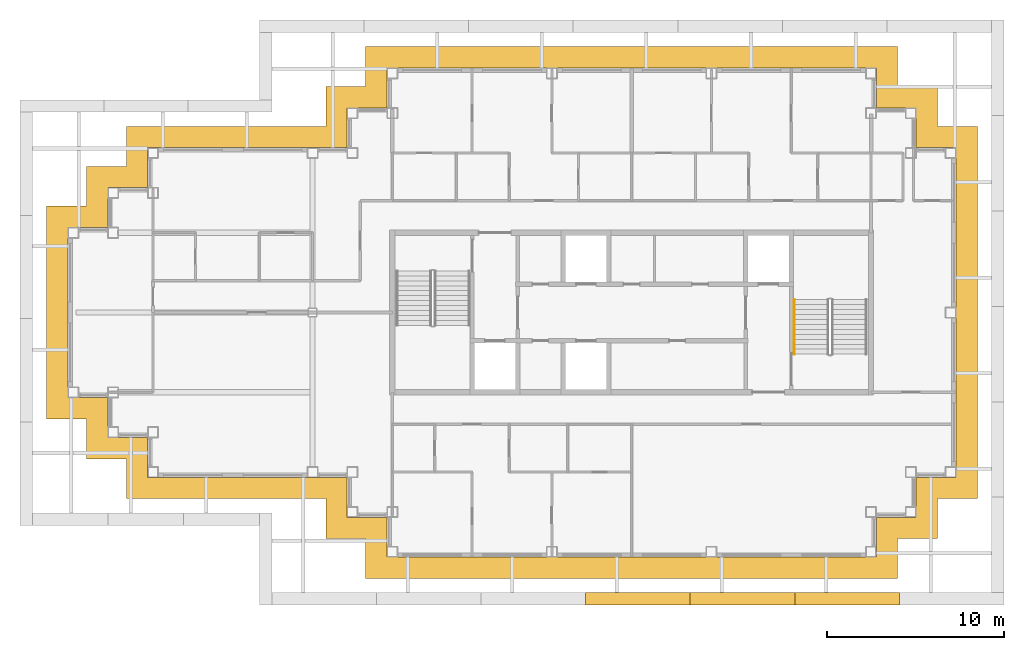
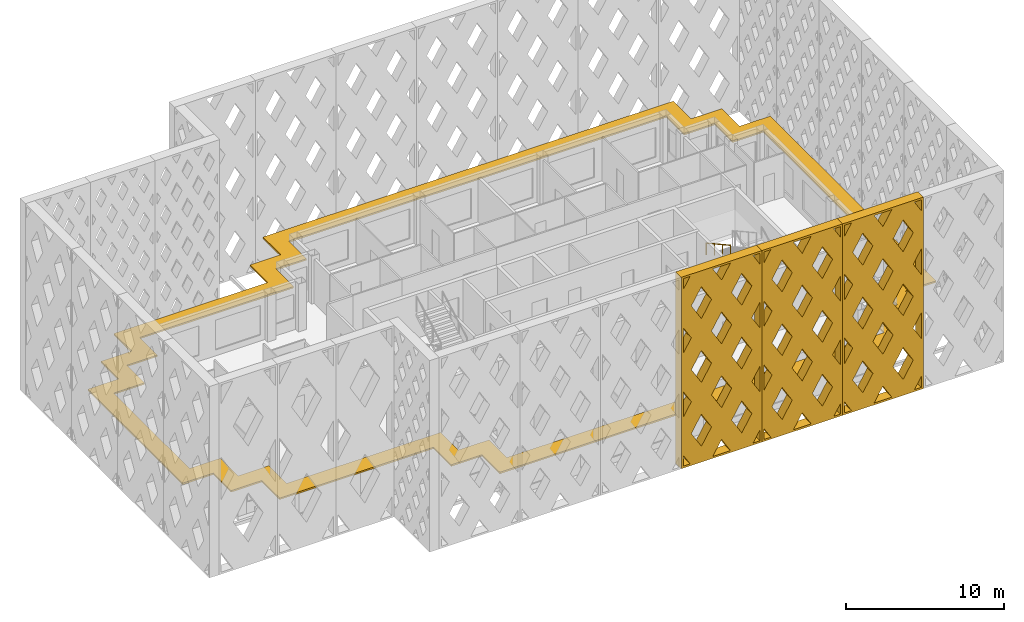
# One storey, part 12 of 15: 4 shading devices, 1 railing.
"""IFC4 building model written with IfcOpenShell, lengths in metres."""

import ifcopenshell
import ifcopenshell.guid

model = None  # the IFC model being written
_history = None  # IfcOwnerHistory: only IFC2X3 demands one
_inside = {}  # id of a spatial element -> (the spatial element, [elements in it])
_under = {}  # id of a project, library or spatial element -> (it, [spatial elements below it])
_declared = {}  # id of a project -> (the project, [libraries it declares])
_typed = {}  # id of a type object -> (the type object, [elements of that type])
_made_of = {}  # id of a material, layer set ... -> (it, [elements and type objects made of it])


def new_model(schema):
    """Start an empty IFC model of exactly this schema.

    Asked for "IFC4X3", IfcOpenShell would pick the latest addendum, in which some entities
    have other attributes; the version numbers below select the first issue.
    IFC2X3 requires an IfcOwnerHistory on every rooted entity: one is made here for all.
    """
    global model, _history
    if schema == "IFC4X3":
        model = ifcopenshell.file(schema_version=(4, 3, 0, 0))
    else:
        model = ifcopenshell.file(schema=schema)
    _inside.clear()
    _under.clear()
    _declared.clear()
    _typed.clear()
    _made_of.clear()
    _history = None
    if model.schema == "IFC2X3":
        org = make("IfcOrganization", Name="unknown")
        user = make(
            "IfcPersonAndOrganization",
            ThePerson=make("IfcPerson", FamilyName="unknown"),
            TheOrganization=org,
        )
        app = make(
            "IfcApplication",
            ApplicationDeveloper=org,
            Version="unknown",
            ApplicationFullName="unknown",
            ApplicationIdentifier="unknown",
        )
        _history = make(
            "IfcOwnerHistory",
            OwningUser=user,
            OwningApplication=app,
            ChangeAction="ADDED",
            CreationDate=0,
        )
    return model


def make(cls, **values):
    """One entity of the class cls with the attributes given. An attribute that is None is left unset."""
    return model.create_entity(
        cls, **{name: value for name, value in values.items() if value is not None}
    )


def rooted(cls, **values):
    """An entity with a GlobalId (a new one), such as an element, a storey or a relation."""
    return make(cls, GlobalId=ifcopenshell.guid.new(), OwnerHistory=_history, **values)


def si_unit(unit_type, name, prefix=None):
    """IfcSIUnit, for example si_unit("LENGTHUNIT", "METRE", prefix="MILLI")."""
    return make("IfcSIUnit", UnitType=unit_type, Prefix=prefix, Name=name)


def assignment(units):
    """IfcUnitAssignment: the units of a project."""
    return None if units is None else make("IfcUnitAssignment", Units=units)


def point(xyz):
    """IfcCartesianPoint."""
    return None if xyz is None else make("IfcCartesianPoint", Coordinates=xyz)


def direction(xyz):
    """IfcDirection."""
    return None if xyz is None else make("IfcDirection", DirectionRatios=xyz)


def frame(location, z_axis=None, x_axis=None):
    """IfcAxis2Placement3D, a coordinate frame: its origin and axes. An axis left out is left unset."""
    return make(
        "IfcAxis2Placement3D",
        Location=point(location),
        Axis=direction(z_axis),
        RefDirection=direction(x_axis),
    )


def frame_2d(location, x_axis=None):
    """IfcAxis2Placement2D, a coordinate frame in the plane: its origin and x axis."""
    return make(
        "IfcAxis2Placement2D", Location=point(location), RefDirection=direction(x_axis)
    )


def origin():
    """The frame at (0, 0, 0) with its axes left unset."""
    return frame((0.0, 0.0, 0.0))


def origin_2d():
    """The frame at (0, 0) in the plane with its x axis left unset."""
    return frame_2d((0.0, 0.0))


def place(relative_to, where):
    """IfcLocalPlacement: puts the frame where relative to a parent placement (None: the world)."""
    return make(
        "IfcLocalPlacement", PlacementRelTo=relative_to, RelativePlacement=where
    )


def context(
    kind, dimensions, precision=None, world=None, true_north=None, identifier=None
):
    """IfcGeometricRepresentationContext, for example the 3D "Model" context."""
    return make(
        "IfcGeometricRepresentationContext",
        ContextIdentifier=identifier,
        ContextType=kind,
        CoordinateSpaceDimension=dimensions,
        Precision=precision,
        WorldCoordinateSystem=world,
        TrueNorth=true_north,
    )


def subcontext(parent, identifier, kind, view, scale=None):
    """IfcGeometricRepresentationSubContext, for example "Body" below "Model"."""
    return make(
        "IfcGeometricRepresentationSubContext",
        ContextIdentifier=identifier,
        ContextType=kind,
        ParentContext=parent,
        TargetScale=scale,
        TargetView=view,
    )


def project(units=None, contexts=None):
    """IfcProject with its units and contexts."""
    return rooted(
        "IfcProject",
        Name="project",
        RepresentationContexts=contexts,
        UnitsInContext=assignment(units),
    )


def spatial(cls, under=None, at=None, **own):
    """A site, building, storey or space (cls), placed at a placement, below another one or the project."""
    s = rooted(cls, ObjectPlacement=at, **own)
    if under is not None:
        _under.setdefault(under.id(), (under, []))[1].append(s)
    return s


def polyline(points):
    """IfcPolyline through the points."""
    return make("IfcPolyline", Points=[point(p) for p in points])


def profile(cls, at=None, kind="AREA", **sizes):
    """A parametric profile (cls). Its sizes go by their IFC names, for example OverallWidth=200.0."""
    return make(cls, ProfileType=kind, Position=at, **sizes)


def circle(**sizes):
    """IfcCircleProfileDef."""
    return profile("IfcCircleProfileDef", **sizes)


def outline(outer, holes=None, kind="AREA"):
    """IfcArbitraryClosedProfileDef: a profile drawn as a closed curve; with holes, ...WithVoids."""
    if holes is None:
        return make("IfcArbitraryClosedProfileDef", ProfileType=kind, OuterCurve=outer)
    return make(
        "IfcArbitraryProfileDefWithVoids",
        ProfileType=kind,
        OuterCurve=outer,
        InnerCurves=holes,
    )


def extrude(swept, where, along, depth):
    """IfcExtrudedAreaSolid: the profile swept, set in the frame where, extruded along a direction by depth."""
    return make(
        "IfcExtrudedAreaSolid",
        SweptArea=swept,
        Position=where,
        ExtrudedDirection=direction(along),
        Depth=depth,
    )


def shape(context_of_items, identifier, shape_type, items):
    """IfcShapeRepresentation: the items that make up one representation, for example the "Body"."""
    return make(
        "IfcShapeRepresentation",
        ContextOfItems=context_of_items,
        RepresentationIdentifier=identifier,
        RepresentationType=shape_type,
        Items=items,
    )


def material(Name=None, Category=None):
    """IfcMaterial."""
    return make("IfcMaterial", Name=Name, Category=Category)


def layer(
    of_material, thickness, ventilated=None, Name=None, Category=None, Priority=None
):
    """IfcMaterialLayer: one layer of a wall or slab, of a material (None: an air gap)."""
    return make(
        "IfcMaterialLayer",
        Material=of_material,
        LayerThickness=thickness,
        IsVentilated=ventilated,
        Name=Name,
        Category=Category,
        Priority=Priority,
    )


def layer_set(layers, Name=None):
    """IfcMaterialLayerSet."""
    return make("IfcMaterialLayerSet", MaterialLayers=layers, LayerSetName=Name)


def made_of(thing, what):
    """Note that an element or type object is made of a material, layer set ...; save() writes the relation."""
    if what is not None:
        _made_of.setdefault(what.id(), (what, []))[1].append(thing)
    return thing


def type_object(cls, material=None, **own):
    """A type object (cls), such as IfcWallType, which elements share."""
    return made_of(rooted(cls, **own), material)


def element(
    cls,
    number,
    at=None,
    inside=None,
    cuts=None,
    type_object=None,
    material=None,
    context=None,
    identifier="Body",
    shape_type=None,
    held_by="IfcProductDefinitionShape",
    body=None,
    shapes=None,
    **own,
):
    """One element of the class cls, such as IfcWall. Its Tag is "e" and its number.

    at: its placement. inside: the storey or other place that contains it. cuts: it is an
    opening in that element (IfcRelVoidsElement). A single representation is given by context,
    identifier, shape_type and body (its items); several are given by shapes. held_by: the class
    of the entity that holds the representations. save() writes the other relations.
    """
    e = rooted(cls, Tag="e%d" % number, ObjectPlacement=at, **own)
    if body is not None:
        shapes = [shape(context, identifier, shape_type, body)]
    if shapes is not None:
        e.Representation = make(held_by, Representations=shapes)
    if inside is not None:
        _inside.setdefault(inside.id(), (inside, []))[1].append(e)
    if cuts is not None:
        rooted(
            "IfcRelVoidsElement", RelatingBuildingElement=cuts, RelatedOpeningElement=e
        )
    if type_object is not None:
        _typed.setdefault(type_object.id(), (type_object, []))[1].append(e)
    return made_of(e, material)


def aggregate(whole, parts):
    """IfcRelAggregates: a whole, such as a stair, and the parts it consists of."""
    return rooted("IfcRelAggregates", RelatingObject=whole, RelatedObjects=parts)


def save(model, path):
    """Write the relations noted so far, then the file.

    IfcRelAggregates (storeys below a building ...), IfcRelContainedInSpatialStructure (elements
    in a storey), IfcRelDefinesByType, IfcRelAssociatesMaterial and IfcRelDeclares: one each for
    every whole, place, type object, material and project.
    """
    for whole, parts in _under.values():
        aggregate(whole, parts)
    for where, things in _inside.values():
        rooted(
            "IfcRelContainedInSpatialStructure",
            RelatedElements=things,
            RelatingStructure=where,
        )
    for kind, things in _typed.values():
        rooted("IfcRelDefinesByType", RelatedObjects=things, RelatingType=kind)
    for what, things in _made_of.values():
        rooted("IfcRelAssociatesMaterial", RelatedObjects=things, RelatingMaterial=what)
    for by, libraries in _declared.values():
        rooted("IfcRelDeclares", RelatingContext=by, RelatedDefinitions=libraries)
    model.write(path)


model = new_model("IFC4")

# Units and contexts
model_context = context("Model", 3, precision=1e-05, world=origin(), true_north=direction((0.0, 1.0)))
body_context = subcontext(model_context, "Body", "Model", "MODEL_VIEW")
ifc_project = project(units=[si_unit("LENGTHUNIT", "METRE"), si_unit("AREAUNIT", "SQUARE_METRE"), si_unit("VOLUMEUNIT", "CUBIC_METRE"), si_unit("PLANEANGLEUNIT", "RADIAN"), si_unit("MASSUNIT", "GRAM", prefix="KILO")], contexts=[model_context])

# Site, building, storey
site_placement = place(None, origin())
site = spatial("IfcSite", under=ifc_project, at=site_placement, CompositionType="ELEMENT")
building_placement = place(site_placement, origin())
building = spatial("IfcBuilding", under=site, at=building_placement, Name="Caravel Reach Hotel and Residences", CompositionType="ELEMENT")
storey_placement = place(building_placement, frame((0.0, 0.0, 237.89990234375)))
storey = spatial("IfcBuildingStorey", under=building, at=storey_placement, Name="L60", CompositionType="ELEMENT", Elevation=237.89990234375)

# Shading devices
ifc_material_1 = material(Name="Black powder-coated aluminium", Category="aluminium")
shading_device_type_1 = type_object("IfcShadingDeviceType", Name="Diamond lattice screen panel 5900 x 14800", PredefinedType="USERDEFINED", material=ifc_material_1)
shading_device_1_placement = place(storey_placement, frame((28.89990234375, 11.199951171875, 0.0), z_axis=(0.0, -1.0, 0.0), x_axis=(1.0, 0.0, 0.0)))
element("IfcShadingDevice", 1, at=shading_device_1_placement, inside=storey, type_object=shading_device_type_1, Name="Lattice screen L60-L63 3.4", ObjectType="SCREEN", PredefinedType="USERDEFINED", context=body_context, shape_type="SweptSolid", body=[
    extrude(outline(polyline([(0.0, 0.0), (5.89990234375, 0.0), (5.89990234375, 14.800048828125), (0.0, 14.800048828125), (0.0, 0.0)]), holes=[polyline([(0.64990234375, 0.14990234375), (0.14990234375, 0.986083984375), (0.14990234375, 0.14990234375), (0.64990234375, 0.14990234375)]), polyline([(0.739501953125, 4.933349609375), (0.14990234375, 5.91943359375), (0.14990234375, 3.947265625), (0.739501953125, 4.933349609375)]), polyline([(0.739501953125, 9.86669921875), (0.14990234375, 10.852783203125), (0.14990234375, 8.880615234375), (0.739501953125, 9.86669921875)]), polyline([(0.14990234375, 13.81396484375), (0.64990234375, 14.64990234375), (0.14990234375, 14.64990234375), (0.14990234375, 13.81396484375)]), polyline([(1.47509765625, 3.70361328125), (0.7353515625, 2.466552734375), (1.47509765625, 1.229736328125), (2.214599609375, 2.466552734375), (1.47509765625, 3.70361328125)]), polyline([(1.47509765625, 8.636962890625), (0.7353515625, 7.39990234375), (1.47509765625, 6.1630859375), (2.214599609375, 7.39990234375), (1.47509765625, 8.636962890625)]), polyline([(1.47509765625, 13.570068359375), (0.7353515625, 12.333251953125), (1.47509765625, 11.096435546875), (2.214599609375, 12.333251953125), (1.47509765625, 13.570068359375)]), polyline([(2.949951171875, 1.23681640625), (2.300048828125, 0.14990234375), (3.599853515625, 0.14990234375), (2.949951171875, 1.23681640625)]), polyline([(2.949951171875, 6.170166015625), (2.21044921875, 4.933349609375), (2.949951171875, 3.696533203125), (3.689697265625, 4.933349609375), (2.949951171875, 6.170166015625)]), polyline([(2.949951171875, 11.103515625), (2.21044921875, 9.86669921875), (2.949951171875, 8.6298828125), (3.689697265625, 9.86669921875), (2.949951171875, 11.103515625)]), polyline([(2.949951171875, 13.563232421875), (3.599853515625, 14.64990234375), (2.300048828125, 14.64990234375), (2.949951171875, 13.563232421875)]), polyline([(4.425048828125, 3.70361328125), (3.685302734375, 2.466552734375), (4.425048828125, 1.229736328125), (5.16455078125, 2.466552734375), (4.425048828125, 3.70361328125)]), polyline([(4.425048828125, 8.636962890625), (3.685302734375, 7.39990234375), (4.425048828125, 6.1630859375), (5.16455078125, 7.39990234375), (4.425048828125, 8.636962890625)]), polyline([(4.425048828125, 13.570068359375), (3.685302734375, 12.333251953125), (4.425048828125, 11.096435546875), (5.16455078125, 12.333251953125), (4.425048828125, 13.570068359375)]), polyline([(5.75, 0.986083984375), (5.25, 0.14990234375), (5.75, 0.14990234375), (5.75, 0.986083984375)]), polyline([(5.160400390625, 4.933349609375), (5.75, 3.947265625), (5.75, 5.91943359375), (5.160400390625, 4.933349609375)]), polyline([(5.160400390625, 9.86669921875), (5.75, 8.880615234375), (5.75, 10.852783203125), (5.160400390625, 9.86669921875)]), polyline([(5.25, 14.64990234375), (5.75, 13.81396484375), (5.75, 14.64990234375), (5.25, 14.64990234375)])]), origin(), (0.0, 0.0, 1.0), 0.699951171875),
])
shading_device_2_placement = place(storey_placement, frame((34.800048828125, 11.199951171875, 0.0), z_axis=(0.0, -1.0, 0.0), x_axis=(1.0, 0.0, 0.0)))
element("IfcShadingDevice", 2, at=shading_device_2_placement, inside=storey, type_object=shading_device_type_1, Name="Lattice screen L60-L63 3.5", ObjectType="SCREEN", PredefinedType="USERDEFINED", context=body_context, shape_type="SweptSolid", body=[
    extrude(outline(polyline([(0.0, 0.0), (5.89990234375, 0.0), (5.89990234375, 14.800048828125), (0.0, 14.800048828125), (0.0, 0.0)]), holes=[polyline([(0.64990234375, 0.14990234375), (0.14990234375, 0.986083984375), (0.14990234375, 0.14990234375), (0.64990234375, 0.14990234375)]), polyline([(0.739501953125, 4.933349609375), (0.14990234375, 5.91943359375), (0.14990234375, 3.947265625), (0.739501953125, 4.933349609375)]), polyline([(0.739501953125, 9.86669921875), (0.14990234375, 10.852783203125), (0.14990234375, 8.880615234375), (0.739501953125, 9.86669921875)]), polyline([(0.14990234375, 13.81396484375), (0.64990234375, 14.64990234375), (0.14990234375, 14.64990234375), (0.14990234375, 13.81396484375)]), polyline([(1.47509765625, 3.70361328125), (0.7353515625, 2.466552734375), (1.47509765625, 1.229736328125), (2.214599609375, 2.466552734375), (1.47509765625, 3.70361328125)]), polyline([(1.47509765625, 8.636962890625), (0.7353515625, 7.39990234375), (1.47509765625, 6.1630859375), (2.214599609375, 7.39990234375), (1.47509765625, 8.636962890625)]), polyline([(1.47509765625, 13.570068359375), (0.7353515625, 12.333251953125), (1.47509765625, 11.096435546875), (2.214599609375, 12.333251953125), (1.47509765625, 13.570068359375)]), polyline([(2.949951171875, 1.23681640625), (2.300048828125, 0.14990234375), (3.599853515625, 0.14990234375), (2.949951171875, 1.23681640625)]), polyline([(2.949951171875, 6.170166015625), (2.21044921875, 4.933349609375), (2.949951171875, 3.696533203125), (3.689697265625, 4.933349609375), (2.949951171875, 6.170166015625)]), polyline([(2.949951171875, 11.103515625), (2.21044921875, 9.86669921875), (2.949951171875, 8.6298828125), (3.689697265625, 9.86669921875), (2.949951171875, 11.103515625)]), polyline([(2.949951171875, 13.563232421875), (3.599853515625, 14.64990234375), (2.300048828125, 14.64990234375), (2.949951171875, 13.563232421875)]), polyline([(4.425048828125, 3.70361328125), (3.685302734375, 2.466552734375), (4.425048828125, 1.229736328125), (5.16455078125, 2.466552734375), (4.425048828125, 3.70361328125)]), polyline([(4.425048828125, 8.636962890625), (3.685302734375, 7.39990234375), (4.425048828125, 6.1630859375), (5.16455078125, 7.39990234375), (4.425048828125, 8.636962890625)]), polyline([(4.425048828125, 13.570068359375), (3.685302734375, 12.333251953125), (4.425048828125, 11.096435546875), (5.16455078125, 12.333251953125), (4.425048828125, 13.570068359375)]), polyline([(5.75, 0.986083984375), (5.25, 0.14990234375), (5.75, 0.14990234375), (5.75, 0.986083984375)]), polyline([(5.160400390625, 4.933349609375), (5.75, 3.947265625), (5.75, 5.91943359375), (5.160400390625, 4.933349609375)]), polyline([(5.160400390625, 9.86669921875), (5.75, 8.880615234375), (5.75, 10.852783203125), (5.160400390625, 9.86669921875)]), polyline([(5.25, 14.64990234375), (5.75, 13.81396484375), (5.75, 14.64990234375), (5.25, 14.64990234375)])]), origin(), (0.0, 0.0, 1.0), 0.699951171875),
])
shading_device_3_placement = place(storey_placement, frame((40.699951171875, 11.199951171875, 0.0), z_axis=(0.0, -1.0, 0.0), x_axis=(1.0, 0.0, 0.0)))
element("IfcShadingDevice", 3, at=shading_device_3_placement, inside=storey, type_object=shading_device_type_1, Name="Lattice screen L60-L63 3.6", ObjectType="SCREEN", PredefinedType="USERDEFINED", context=body_context, shape_type="SweptSolid", body=[
    extrude(outline(polyline([(0.0, 0.0), (5.89990234375, 0.0), (5.89990234375, 14.800048828125), (0.0, 14.800048828125), (0.0, 0.0)]), holes=[polyline([(0.64990234375, 0.14990234375), (0.14990234375, 0.986083984375), (0.14990234375, 0.14990234375), (0.64990234375, 0.14990234375)]), polyline([(0.739501953125, 4.933349609375), (0.14990234375, 5.91943359375), (0.14990234375, 3.947265625), (0.739501953125, 4.933349609375)]), polyline([(0.739501953125, 9.86669921875), (0.14990234375, 10.852783203125), (0.14990234375, 8.880615234375), (0.739501953125, 9.86669921875)]), polyline([(0.14990234375, 13.81396484375), (0.64990234375, 14.64990234375), (0.14990234375, 14.64990234375), (0.14990234375, 13.81396484375)]), polyline([(1.47509765625, 3.70361328125), (0.7353515625, 2.466552734375), (1.47509765625, 1.229736328125), (2.214599609375, 2.466552734375), (1.47509765625, 3.70361328125)]), polyline([(1.47509765625, 8.636962890625), (0.7353515625, 7.39990234375), (1.47509765625, 6.1630859375), (2.214599609375, 7.39990234375), (1.47509765625, 8.636962890625)]), polyline([(1.47509765625, 13.570068359375), (0.7353515625, 12.333251953125), (1.47509765625, 11.096435546875), (2.214599609375, 12.333251953125), (1.47509765625, 13.570068359375)]), polyline([(2.949951171875, 1.23681640625), (2.300048828125, 0.14990234375), (3.599853515625, 0.14990234375), (2.949951171875, 1.23681640625)]), polyline([(2.949951171875, 6.170166015625), (2.21044921875, 4.933349609375), (2.949951171875, 3.696533203125), (3.689697265625, 4.933349609375), (2.949951171875, 6.170166015625)]), polyline([(2.949951171875, 11.103515625), (2.21044921875, 9.86669921875), (2.949951171875, 8.6298828125), (3.689697265625, 9.86669921875), (2.949951171875, 11.103515625)]), polyline([(2.949951171875, 13.563232421875), (3.599853515625, 14.64990234375), (2.300048828125, 14.64990234375), (2.949951171875, 13.563232421875)]), polyline([(4.425048828125, 3.70361328125), (3.685302734375, 2.466552734375), (4.425048828125, 1.229736328125), (5.16455078125, 2.466552734375), (4.425048828125, 3.70361328125)]), polyline([(4.425048828125, 8.636962890625), (3.685302734375, 7.39990234375), (4.425048828125, 6.1630859375), (5.16455078125, 7.39990234375), (4.425048828125, 8.636962890625)]), polyline([(4.425048828125, 13.570068359375), (3.685302734375, 12.333251953125), (4.425048828125, 11.096435546875), (5.16455078125, 12.333251953125), (4.425048828125, 13.570068359375)]), polyline([(5.75, 0.986083984375), (5.25, 0.14990234375), (5.75, 0.14990234375), (5.75, 0.986083984375)]), polyline([(5.160400390625, 4.933349609375), (5.75, 3.947265625), (5.75, 5.91943359375), (5.160400390625, 4.933349609375)]), polyline([(5.160400390625, 9.86669921875), (5.75, 8.880615234375), (5.75, 10.852783203125), (5.160400390625, 9.86669921875)]), polyline([(5.25, 14.64990234375), (5.75, 13.81396484375), (5.75, 14.64990234375), (5.25, 14.64990234375)])]), origin(), (0.0, 0.0, 1.0), 0.699951171875),
])

# Railing
ifc_material_2 = material(Name="Stainless steel handrail", Category="steel")
railing_type = type_object("IfcRailingType", Name="Handrail 900", PredefinedType="HANDRAIL", material=ifc_material_2)
railing_placement = place(storey_placement, frame((40.675048828125, 27.72998046875, 2.004150390625)))
element("IfcRailing", 4, at=railing_placement, inside=storey, type_object=railing_type, Name="L60 ST-B stair handrail 2", PredefinedType="HANDRAIL", context=body_context, shape_type="SweptSolid", body=[
    extrude(circle(Radius=0.02392578125, at=origin_2d()), frame((0.0, 0.0, 0.8759765625), z_axis=(0.0, -0.875975380505, 0.482355815502), x_axis=(1.0, 0.0, 0.0)), (0.0, 0.0, 1.0), 3.51611328125),
    extrude(circle(Radius=0.02099609375, at=origin_2d()), origin(), (0.0, 0.0, 1.0), 0.851806640625),
    extrude(circle(Radius=0.02099609375, at=origin_2d()), frame((0.0, -1.026611328125, 0.5654296875)), (0.0, 0.0, 1.0), 0.851806640625),
    extrude(circle(Radius=0.02099609375, at=origin_2d()), frame((0.0, -2.053466796875, 1.130615234375)), (0.0, 0.0, 1.0), 0.851806640625),
    extrude(circle(Radius=0.02099609375, at=origin_2d()), frame((0.0, -3.080078125, 1.696044921875)), (0.0, 0.0, 1.0), 0.851806640625),
])

# Shading device
ifc_material_3 = material(Name="Black powder-coated aluminium", Category="aluminium")
ifc_layer = layer(ifc_material_3, 0.1201171875)
ifc_layer_set = layer_set([ifc_layer], Name="SS1 Sunshade band 1200")
shading_device_type_2 = type_object("IfcShadingDeviceType", Name="SS1 Sunshade band 1200", PredefinedType="USERDEFINED", material=ifc_layer_set)
shading_device_4_placement = place(storey_placement, frame((0.0, 0.0, 3.0400390625)))
element("IfcShadingDevice", 5, at=shading_device_4_placement, inside=storey, type_object=shading_device_type_2, Name="Sunshade L60 1", ObjectType="SUNSHADE", PredefinedType="USERDEFINED", context=body_context, shape_type="SweptSolid", body=[
    extrude(outline(polyline([(3.0, 16.5), (14.25, 16.5), (14.25, 14.25), (16.5, 14.25), (16.5, 12.0), (46.5, 12.0), (46.5, 14.25), (48.75, 14.25), (48.75, 16.5), (51.0, 16.5), (51.0, 37.5), (48.75, 37.5), (48.75, 39.75), (46.5, 39.75), (46.5, 42.0), (16.5, 42.0), (16.5, 39.75), (14.25, 39.75), (14.25, 37.5), (3.0, 37.5), (3.0, 35.25), (0.75, 35.25), (0.75, 33.0), (-1.5, 33.0), (-1.5, 21.0), (0.75, 21.0), (0.75, 18.75), (3.0, 18.75), (3.0, 16.5)]), holes=[polyline([(15.449951171875, 15.449951171875), (15.449951171875, 17.699951171875), (4.199951171875, 17.699951171875), (4.199951171875, 19.949951171875), (1.949951171875, 19.949951171875), (1.949951171875, 22.199951171875), (-0.300048828125, 22.199951171875), (-0.300048828125, 31.800048828125), (1.949951171875, 31.800048828125), (1.949951171875, 34.050048828125), (4.199951171875, 34.050048828125), (4.199951171875, 36.300048828125), (15.449951171875, 36.300048828125), (15.449951171875, 38.550048828125), (17.699951171875, 38.550048828125), (17.699951171875, 40.800048828125), (45.300048828125, 40.800048828125), (45.300048828125, 38.550048828125), (47.550048828125, 38.550048828125), (47.550048828125, 36.300048828125), (49.800048828125, 36.300048828125), (49.800048828125, 17.699951171875), (47.550048828125, 17.699951171875), (47.550048828125, 15.449951171875), (45.300048828125, 15.449951171875), (45.300048828125, 13.199951171875), (17.699951171875, 13.199951171875), (17.699951171875, 15.449951171875), (15.449951171875, 15.449951171875)])]), origin(), (0.0, 0.0, 1.0), 0.1201171875),
])

save(model, "model.ifc")
